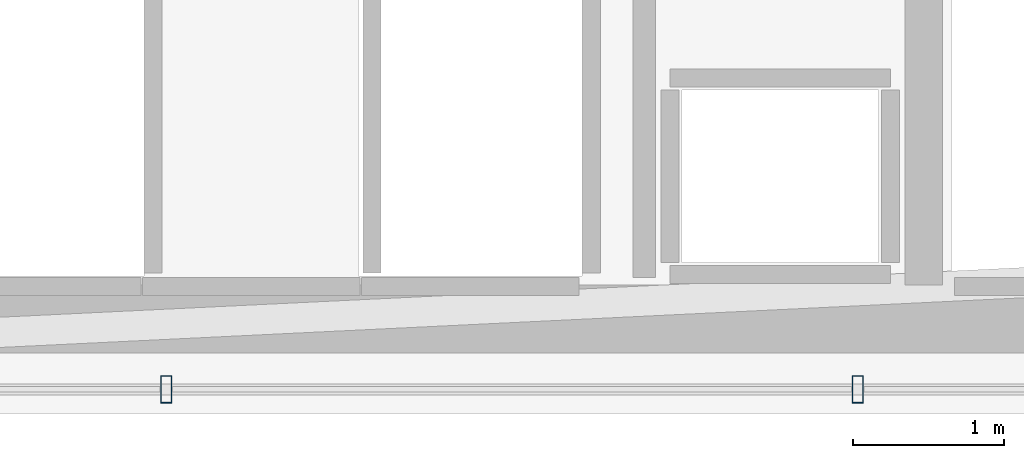
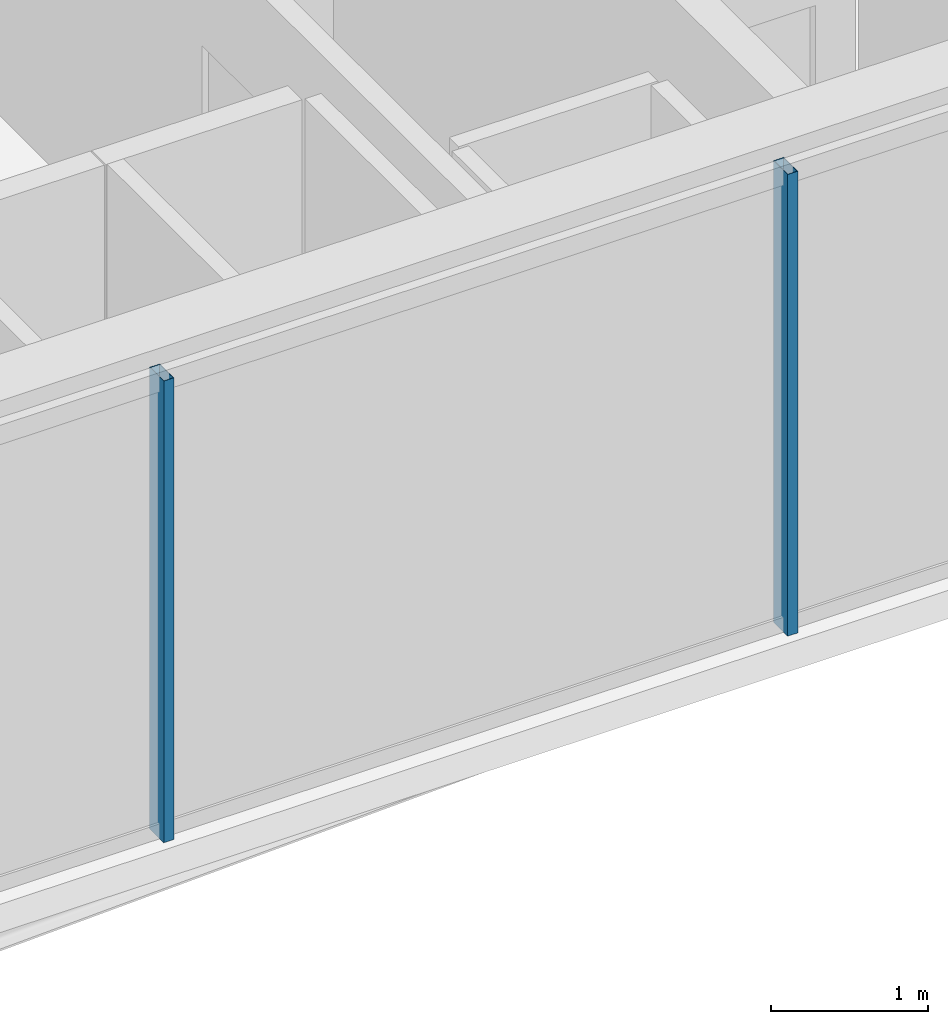
# One storey, part 9 of 32: 2 members, 1 element without a shape of its own.
"""IFC4 building model written with IfcOpenShell, lengths in metres."""

import ifcopenshell
import ifcopenshell.guid

model = None  # the IFC model being written
_history = None  # IfcOwnerHistory: only IFC2X3 demands one
_inside = {}  # id of a spatial element -> (the spatial element, [elements in it])
_under = {}  # id of a project, library or spatial element -> (it, [spatial elements below it])
_declared = {}  # id of a project -> (the project, [libraries it declares])
_typed = {}  # id of a type object -> (the type object, [elements of that type])
_made_of = {}  # id of a material, layer set ... -> (it, [elements and type objects made of it])


def new_model(schema):
    """Start an empty IFC model of exactly this schema.

    Asked for "IFC4X3", IfcOpenShell would pick the latest addendum, in which some entities
    have other attributes; the version numbers below select the first issue.
    IFC2X3 requires an IfcOwnerHistory on every rooted entity: one is made here for all.
    """
    global model, _history
    if schema == "IFC4X3":
        model = ifcopenshell.file(schema_version=(4, 3, 0, 0))
    else:
        model = ifcopenshell.file(schema=schema)
    _inside.clear()
    _under.clear()
    _declared.clear()
    _typed.clear()
    _made_of.clear()
    _history = None
    if model.schema == "IFC2X3":
        org = make("IfcOrganization", Name="unknown")
        user = make(
            "IfcPersonAndOrganization",
            ThePerson=make("IfcPerson", FamilyName="unknown"),
            TheOrganization=org,
        )
        app = make(
            "IfcApplication",
            ApplicationDeveloper=org,
            Version="unknown",
            ApplicationFullName="unknown",
            ApplicationIdentifier="unknown",
        )
        _history = make(
            "IfcOwnerHistory",
            OwningUser=user,
            OwningApplication=app,
            ChangeAction="ADDED",
            CreationDate=0,
        )
    return model


def make(cls, **values):
    """One entity of the class cls with the attributes given. An attribute that is None is left unset."""
    return model.create_entity(
        cls, **{name: value for name, value in values.items() if value is not None}
    )


def rooted(cls, **values):
    """An entity with a GlobalId (a new one), such as an element, a storey or a relation."""
    return make(cls, GlobalId=ifcopenshell.guid.new(), OwnerHistory=_history, **values)


def si_unit(unit_type, name, prefix=None):
    """IfcSIUnit, for example si_unit("LENGTHUNIT", "METRE", prefix="MILLI")."""
    return make("IfcSIUnit", UnitType=unit_type, Prefix=prefix, Name=name)


def assignment(units):
    """IfcUnitAssignment: the units of a project."""
    return None if units is None else make("IfcUnitAssignment", Units=units)


def point(xyz):
    """IfcCartesianPoint."""
    return None if xyz is None else make("IfcCartesianPoint", Coordinates=xyz)


def direction(xyz):
    """IfcDirection."""
    return None if xyz is None else make("IfcDirection", DirectionRatios=xyz)


def frame(location, z_axis=None, x_axis=None):
    """IfcAxis2Placement3D, a coordinate frame: its origin and axes. An axis left out is left unset."""
    return make(
        "IfcAxis2Placement3D",
        Location=point(location),
        Axis=direction(z_axis),
        RefDirection=direction(x_axis),
    )


def frame_2d(location, x_axis=None):
    """IfcAxis2Placement2D, a coordinate frame in the plane: its origin and x axis."""
    return make(
        "IfcAxis2Placement2D", Location=point(location), RefDirection=direction(x_axis)
    )


def origin():
    """The frame at (0, 0, 0) with its axes left unset."""
    return frame((0.0, 0.0, 0.0))


def origin_2d():
    """The frame at (0, 0) in the plane with its x axis left unset."""
    return frame_2d((0.0, 0.0))


def place(relative_to, where):
    """IfcLocalPlacement: puts the frame where relative to a parent placement (None: the world)."""
    return make(
        "IfcLocalPlacement", PlacementRelTo=relative_to, RelativePlacement=where
    )


def context(
    kind, dimensions, precision=None, world=None, true_north=None, identifier=None
):
    """IfcGeometricRepresentationContext, for example the 3D "Model" context."""
    return make(
        "IfcGeometricRepresentationContext",
        ContextIdentifier=identifier,
        ContextType=kind,
        CoordinateSpaceDimension=dimensions,
        Precision=precision,
        WorldCoordinateSystem=world,
        TrueNorth=true_north,
    )


def subcontext(parent, identifier, kind, view, scale=None):
    """IfcGeometricRepresentationSubContext, for example "Body" below "Model"."""
    return make(
        "IfcGeometricRepresentationSubContext",
        ContextIdentifier=identifier,
        ContextType=kind,
        ParentContext=parent,
        TargetScale=scale,
        TargetView=view,
    )


def project(units=None, contexts=None):
    """IfcProject with its units and contexts."""
    return rooted(
        "IfcProject",
        Name="project",
        RepresentationContexts=contexts,
        UnitsInContext=assignment(units),
    )


def spatial(cls, under=None, at=None, **own):
    """A site, building, storey or space (cls), placed at a placement, below another one or the project."""
    s = rooted(cls, ObjectPlacement=at, **own)
    if under is not None:
        _under.setdefault(under.id(), (under, []))[1].append(s)
    return s


def profile(cls, at=None, kind="AREA", **sizes):
    """A parametric profile (cls). Its sizes go by their IFC names, for example OverallWidth=200.0."""
    return make(cls, ProfileType=kind, Position=at, **sizes)


def hollow_rectangle(**sizes):
    """IfcRectangleHollowProfileDef."""
    return profile("IfcRectangleHollowProfileDef", **sizes)


def extrude(swept, where, along, depth):
    """IfcExtrudedAreaSolid: the profile swept, set in the frame where, extruded along a direction by depth."""
    return make(
        "IfcExtrudedAreaSolid",
        SweptArea=swept,
        Position=where,
        ExtrudedDirection=direction(along),
        Depth=depth,
    )


def shape(context_of_items, identifier, shape_type, items):
    """IfcShapeRepresentation: the items that make up one representation, for example the "Body"."""
    return make(
        "IfcShapeRepresentation",
        ContextOfItems=context_of_items,
        RepresentationIdentifier=identifier,
        RepresentationType=shape_type,
        Items=items,
    )


def material(Name=None, Category=None):
    """IfcMaterial."""
    return make("IfcMaterial", Name=Name, Category=Category)


def layer(
    of_material, thickness, ventilated=None, Name=None, Category=None, Priority=None
):
    """IfcMaterialLayer: one layer of a wall or slab, of a material (None: an air gap)."""
    return make(
        "IfcMaterialLayer",
        Material=of_material,
        LayerThickness=thickness,
        IsVentilated=ventilated,
        Name=Name,
        Category=Category,
        Priority=Priority,
    )


def layer_set(layers, Name=None):
    """IfcMaterialLayerSet."""
    return make("IfcMaterialLayerSet", MaterialLayers=layers, LayerSetName=Name)


def material_profile(
    of_material, cross_section, Name=None, Category=None, Priority=None
):
    """IfcMaterialProfile: a cross section and its material."""
    return make(
        "IfcMaterialProfile",
        Name=Name,
        Material=of_material,
        Profile=cross_section,
        Priority=Priority,
        Category=Category,
    )


def profile_set(profiles, Name=None, composite=None):
    """IfcMaterialProfileSet."""
    return make(
        "IfcMaterialProfileSet",
        Name=Name,
        MaterialProfiles=profiles,
        CompositeProfile=composite,
    )


def made_of(thing, what):
    """Note that an element or type object is made of a material, layer set ...; save() writes the relation."""
    if what is not None:
        _made_of.setdefault(what.id(), (what, []))[1].append(thing)
    return thing


def type_object(cls, material=None, **own):
    """A type object (cls), such as IfcWallType, which elements share."""
    return made_of(rooted(cls, **own), material)


def element(
    cls,
    number,
    at=None,
    inside=None,
    cuts=None,
    type_object=None,
    material=None,
    context=None,
    identifier="Body",
    shape_type=None,
    held_by="IfcProductDefinitionShape",
    body=None,
    shapes=None,
    **own,
):
    """One element of the class cls, such as IfcWall. Its Tag is "e" and its number.

    at: its placement. inside: the storey or other place that contains it. cuts: it is an
    opening in that element (IfcRelVoidsElement). A single representation is given by context,
    identifier, shape_type and body (its items); several are given by shapes. held_by: the class
    of the entity that holds the representations. save() writes the other relations.
    """
    e = rooted(cls, Tag="e%d" % number, ObjectPlacement=at, **own)
    if body is not None:
        shapes = [shape(context, identifier, shape_type, body)]
    if shapes is not None:
        e.Representation = make(held_by, Representations=shapes)
    if inside is not None:
        _inside.setdefault(inside.id(), (inside, []))[1].append(e)
    if cuts is not None:
        rooted(
            "IfcRelVoidsElement", RelatingBuildingElement=cuts, RelatedOpeningElement=e
        )
    if type_object is not None:
        _typed.setdefault(type_object.id(), (type_object, []))[1].append(e)
    return made_of(e, material)


def aggregate(whole, parts):
    """IfcRelAggregates: a whole, such as a stair, and the parts it consists of."""
    return rooted("IfcRelAggregates", RelatingObject=whole, RelatedObjects=parts)


def save(model, path):
    """Write the relations noted so far, then the file.

    IfcRelAggregates (storeys below a building ...), IfcRelContainedInSpatialStructure (elements
    in a storey), IfcRelDefinesByType, IfcRelAssociatesMaterial and IfcRelDeclares: one each for
    every whole, place, type object, material and project.
    """
    for whole, parts in _under.values():
        aggregate(whole, parts)
    for where, things in _inside.values():
        rooted(
            "IfcRelContainedInSpatialStructure",
            RelatedElements=things,
            RelatingStructure=where,
        )
    for kind, things in _typed.values():
        rooted("IfcRelDefinesByType", RelatedObjects=things, RelatingType=kind)
    for what, things in _made_of.values():
        rooted("IfcRelAssociatesMaterial", RelatedObjects=things, RelatingMaterial=what)
    for by, libraries in _declared.values():
        rooted("IfcRelDeclares", RelatingContext=by, RelatedDefinitions=libraries)
    model.write(path)


model = new_model("IFC4")

# Units and contexts
model_context = context("Model", 3, precision=1e-05, world=origin(), true_north=direction((0.0, 1.0)))
body_context = subcontext(model_context, "Body", "Model", "MODEL_VIEW")
ifc_project = project(units=[si_unit("LENGTHUNIT", "METRE"), si_unit("AREAUNIT", "SQUARE_METRE"), si_unit("VOLUMEUNIT", "CUBIC_METRE"), si_unit("PLANEANGLEUNIT", "RADIAN"), si_unit("MASSUNIT", "GRAM", prefix="KILO")], contexts=[model_context])

# Site, building, storey
site_placement = place(None, origin())
site = spatial("IfcSite", under=ifc_project, at=site_placement, CompositionType="ELEMENT")
building_placement = place(site_placement, origin())
building = spatial("IfcBuilding", under=site, at=building_placement, Name="Ndaravel Arena Tower", CompositionType="ELEMENT")
storey_placement = place(building_placement, frame((0.0, 0.0, 74.0)))
storey = spatial("IfcBuildingStorey", under=building, at=storey_placement, Name="L16", CompositionType="ELEMENT", Elevation=74.0)

# Curtain wall, members
ifc_material_1 = material(Name="Aluminium", Category="aluminium")
ifc_layer = layer(ifc_material_1, 0.179931640625)
ifc_layer_set = layer_set([ifc_layer], Name="Aluminium")
curtain_wall_type = type_object("IfcCurtainWallType", Name="CW-SYS-03", PredefinedType="NOTDEFINED", material=ifc_layer_set)
curtain_wall_placement = place(storey_placement, origin())
curtain_wall = element("IfcCurtainWall", 1, at=curtain_wall_placement, inside=storey, type_object=curtain_wall_type, Name="L16 Faceted Crystal Curtain Wall CW-L16-E01", PredefinedType="NOTDEFINED")
ifc_material_2 = material(Name="Aluminium", Category="aluminium")
ifc_material_profile = material_profile(ifc_material_2, hollow_rectangle(XDim=0.074951171875, YDim=0.179931640625, WallThickness=0.00390625, at=origin_2d()), Name="CW MULLION 75x180x4")
ifc_profile_set = profile_set([ifc_material_profile], Name="Aluminium")
member_type = type_object("IfcMemberType", Name="MEM-CW-MUL180", PredefinedType="MULLION", material=ifc_profile_set)
member_1_placement = place(storey_placement, frame((44.287841796875, 5.159912109375, 0.0), z_axis=(0.0, 0.0, 1.0), x_axis=(1.0, 0.0, 0.0)))
member_1 = element("IfcMember", 2, at=member_1_placement, type_object=member_type, Name="CW-L16-E01 Mullion 04", PredefinedType="MULLION", context=body_context, shape_type="SweptSolid", body=[
    extrude(hollow_rectangle(XDim=0.074951171875, YDim=0.179931640625, WallThickness=0.00390625, at=origin_2d()), origin(), (0.0, 0.0, 1.0), 3.580078125),
])
member_2_placement = place(storey_placement, frame((48.863525390625, 5.159912109375, 0.0), z_axis=(0.0, 0.0, 1.0), x_axis=(1.0, 0.0, 0.0)))
member_2 = element("IfcMember", 3, at=member_2_placement, type_object=member_type, Name="CW-L16-E01 Mullion 05", PredefinedType="MULLION", context=body_context, shape_type="SweptSolid", body=[
    extrude(hollow_rectangle(XDim=0.074951171875, YDim=0.179931640625, WallThickness=0.00390625, at=origin_2d()), origin(), (0.0, 0.0, 1.0), 3.580078125),
])
aggregate(curtain_wall, [member_1, member_2])

save(model, "model.ifc")
